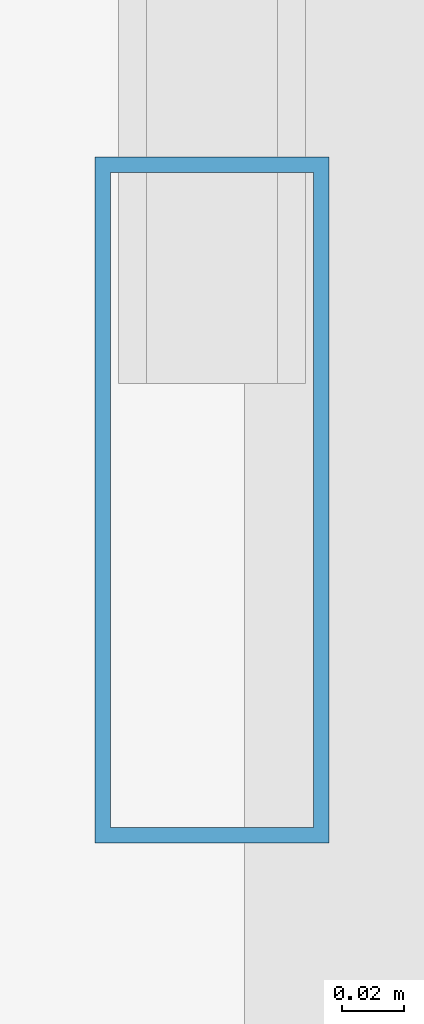
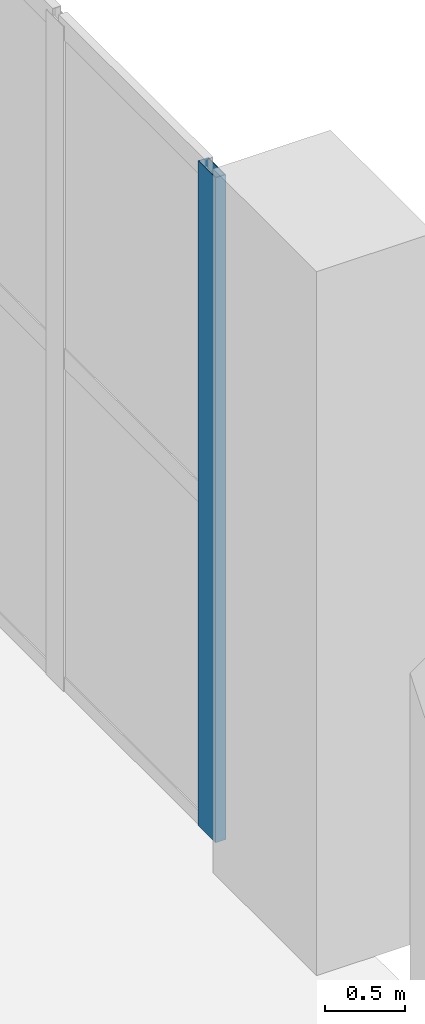
# One storey, part 6 of 20: 1 member, 1 element without a shape of its own.
"""IFC4 building model written with IfcOpenShell, lengths in metres."""

from ifc_helpers import new_model, si_unit, direction, frame, origin, origin_2d, place, context, subcontext, project, spatial, hollow_rectangle, extrude, material, layer, layer_set, material_profile, profile_set, type_object, element, aggregate, save


model = new_model("IFC4")

# Units and contexts
model_context = context("Model", 3, precision=1e-05, world=origin(), true_north=direction((0.0, 1.0)))
body_context = subcontext(model_context, "Body", "Model", "MODEL_VIEW")
ifc_project = project(units=[si_unit("LENGTHUNIT", "METRE"), si_unit("AREAUNIT", "SQUARE_METRE"), si_unit("VOLUMEUNIT", "CUBIC_METRE"), si_unit("PLANEANGLEUNIT", "RADIAN"), si_unit("MASSUNIT", "GRAM", prefix="KILO")], contexts=[model_context])

# Site, building, storey
site_placement = place(None, origin())
site = spatial("IfcSite", under=ifc_project, at=site_placement, CompositionType="ELEMENT")
building_placement = place(site_placement, origin())
building = spatial("IfcBuilding", under=site, at=building_placement, Name="Mawjdan Bourse Tower", CompositionType="ELEMENT")
storey_placement = place(building_placement, frame((0.0, 0.0, 5.39990234375)))
storey = spatial("IfcBuildingStorey", under=building, at=storey_placement, Name="L01", CompositionType="ELEMENT", Elevation=5.39990234375)

# Curtain wall, member
ifc_material_1 = material(Name="Thermally Broken Aluminium and Solar Glass", Category="aluminium")
ifc_layer = layer(ifc_material_1, 0.219970703125)
ifc_layer_set = layer_set([ifc_layer], Name="Thermally Broken Aluminium and Solar Glass")
curtain_wall_type = type_object("IfcCurtainWallType", Name="CW-ARCH", PredefinedType="USERDEFINED", material=ifc_layer_set)
curtain_wall_placement = place(storey_placement, origin())
curtain_wall = element("IfcCurtainWall", 1, at=curtain_wall_placement, inside=storey, type_object=curtain_wall_type, Name="L01 Giant Arch West Glazed Wall South", ObjectType="ARCHWAY GLAZED CURTAIN WALL", PredefinedType="USERDEFINED")
ifc_material_2 = material(Name="Thermally Broken Anodised Aluminium", Category="aluminium")
ifc_material_profile = material_profile(ifc_material_2, hollow_rectangle(XDim=0.074951171875, YDim=0.219970703125, WallThickness=0.0048828125, at=origin_2d()), Name="ALU-MUL-220X75")
ifc_profile_set = profile_set([ifc_material_profile], Name="Thermally Broken Anodised Aluminium")
member_type = type_object("IfcMemberType", Name="MUL-ALU-MUL-220X75", PredefinedType="MULLION", material=ifc_profile_set)
member_placement = place(storey_placement, frame((32.7900390625, 16.03759765625, 0.0), z_axis=(0.0, 0.0, 1.0), x_axis=(1.0, 0.0, 0.0)))
member = element("IfcMember", 2, at=member_placement, type_object=member_type, Name="CW-ARCH-L01-ARCH-W1 mullion 3", PredefinedType="MULLION", context=body_context, shape_type="SweptSolid", body=[
    extrude(hollow_rectangle(XDim=0.074951171875, YDim=0.219970703125, WallThickness=0.0048828125, at=origin_2d()), origin(), (0.0, 0.0, 1.0), 5.10009765625),
])
aggregate(curtain_wall, [member])

save(model, "model.ifc")
